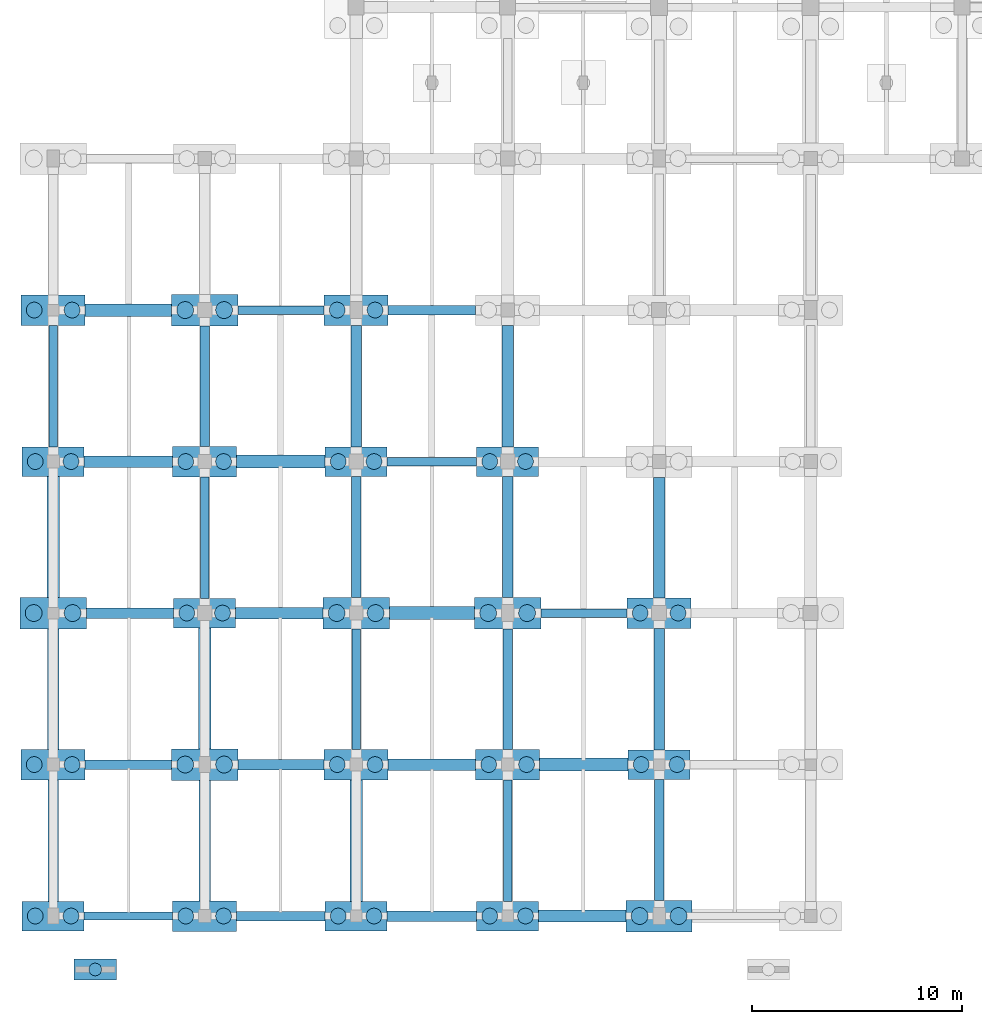
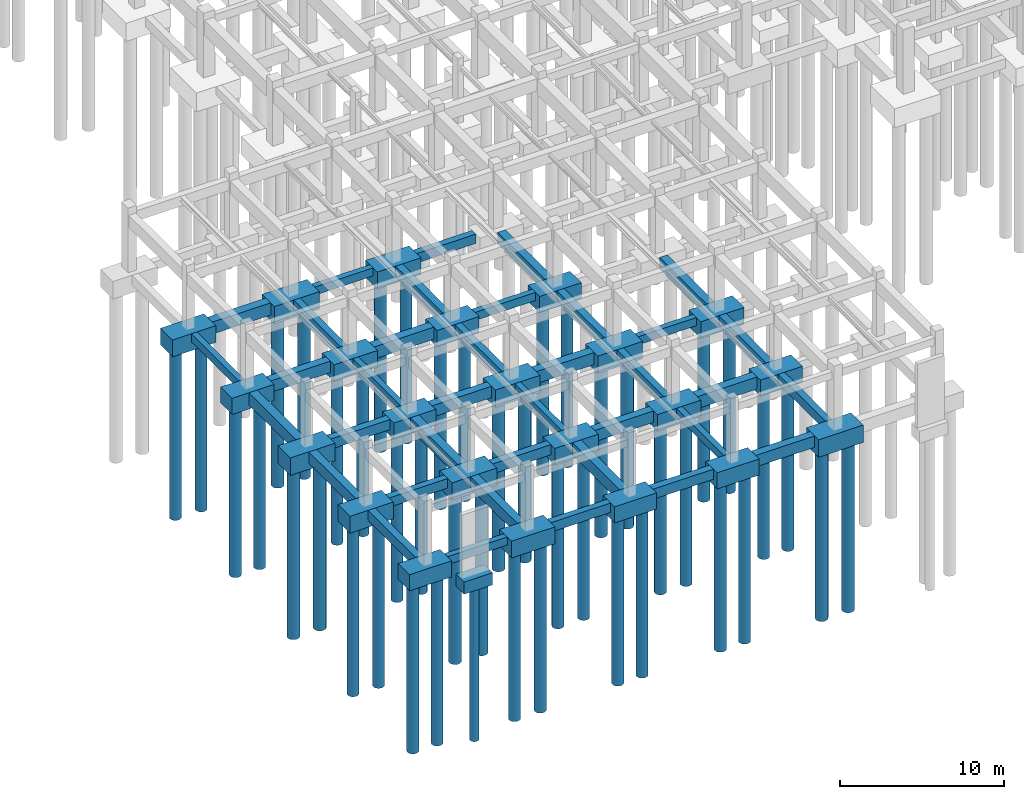
# One storey, part 1 of 44: 60 footings, 45 piles.
"""IFC4 building model written with IfcOpenShell, lengths in metres."""

from ifc_helpers import new_model, si_unit, direction, frame, origin, origin_2d, place, context, subcontext, project, spatial, rectangle, circle, extrude, material, material_profile, profile_set, type_object, element, save


model = new_model("IFC4")

# Units and contexts
model_context = context("Model", 3, precision=1e-05, world=origin(), true_north=direction((0.0, 1.0)))
body_context = subcontext(model_context, "Body", "Model", "MODEL_VIEW")
ifc_project = project(units=[si_unit("LENGTHUNIT", "METRE"), si_unit("AREAUNIT", "SQUARE_METRE"), si_unit("VOLUMEUNIT", "CUBIC_METRE"), si_unit("PLANEANGLEUNIT", "RADIAN"), si_unit("MASSUNIT", "GRAM", prefix="KILO")], contexts=[model_context])

# Site, building, storey
site_placement = place(None, origin())
site = spatial("IfcSite", under=ifc_project, at=site_placement, CompositionType="ELEMENT")
building_placement = place(site_placement, origin())
building = spatial("IfcBuilding", under=site, at=building_placement, Name="Korsvaeld Concert Hall", CompositionType="ELEMENT")
storey_placement = place(building_placement, frame((0.0, 0.0, -4.800048828125)))
storey = spatial("IfcBuildingStorey", under=building, at=storey_placement, Name="B1", CompositionType="ELEMENT", Elevation=-4.800048828125)

# Footings
ifc_material = material(Name="Concrete C35/45", Category="concrete")
ifc_material_profile_1 = material_profile(ifc_material, rectangle(XDim=0.39990234375, YDim=0.60009765625, at=origin_2d()), Name="GTB 400x600")
ifc_profile_set_1 = profile_set([ifc_material_profile_1], Name="Concrete C35/45")
footing_type_1 = type_object("IfcFootingType", Name="GTB-400x600", PredefinedType="FOOTING_BEAM", material=ifc_profile_set_1)
footing_1_placement = place(storey_placement, frame((1.47509765625, 0.0, -0.300048828125), z_axis=(1.0, 0.0, 0.0), x_axis=(0.0, 1.0, 0.0)))
element("IfcFooting", 1, at=footing_1_placement, inside=storey, type_object=footing_type_1, Name="Ground tie beam 1-2/A", PredefinedType="FOOTING_BEAM", context=body_context, shape_type="SweptSolid", body=[
    extrude(rectangle(XDim=0.39990234375, YDim=0.60009765625, at=origin_2d()), origin(), (0.0, 0.0, 1.0), 4.199951171875),
])
footing_2_placement = place(storey_placement, frame((23.175048828125, 14.39990234375, -0.300048828125), z_axis=(1.0, 0.0, 0.0), x_axis=(0.0, 1.0, 0.0)))
element("IfcFooting", 2, at=footing_2_placement, inside=storey, type_object=footing_type_1, Name="Ground tie beam 4-5/C", PredefinedType="FOOTING_BEAM", context=body_context, shape_type="SweptSolid", body=[
    extrude(rectangle(XDim=0.39990234375, YDim=0.60009765625, at=origin_2d()), origin(), (0.0, 0.0, 1.0), 4.099853515625),
])
footing_3_placement = place(storey_placement, frame((15.875, 21.60009765625, -0.300048828125), z_axis=(1.0, 0.0, 0.0), x_axis=(0.0, 1.0, 0.0)))
element("IfcFooting", 3, at=footing_3_placement, inside=storey, type_object=footing_type_1, Name="Ground tie beam 3-4/D", PredefinedType="FOOTING_BEAM", context=body_context, shape_type="SweptSolid", body=[
    extrude(rectangle(XDim=0.39990234375, YDim=0.60009765625, at=origin_2d()), origin(), (0.0, 0.0, 1.0), 4.25),
])
footing_4_placement = place(storey_placement, frame((8.77490234375, 28.800048828125, -0.300048828125), z_axis=(1.0, 0.0, 0.0), x_axis=(0.0, 1.0, 0.0)))
element("IfcFooting", 4, at=footing_4_placement, inside=storey, type_object=footing_type_1, Name="Ground tie beam 2-3/E", PredefinedType="FOOTING_BEAM", context=body_context, shape_type="SweptSolid", body=[
    extrude(rectangle(XDim=0.39990234375, YDim=0.60009765625, at=origin_2d()), origin(), (0.0, 0.0, 1.0), 4.10009765625),
])
for number, where, z_axis, x_axis, name in (
    (5, (0.0, 22.300048828125, -0.300048828125), (0.0, 1.0, 0.0), (-1.0, 0.0, 0.0), "Ground tie beam 1/D-E"),
    (6, (7.199951171875, 15.10009765625, -0.300048828125), (0.0, 1.0, 0.0), (-1.0, 0.0, 0.0), "Ground tie beam 2/C-D"),
):
    element("IfcFooting", number, at=place(storey_placement, frame(where, z_axis=z_axis, x_axis=x_axis)), inside=storey, type_object=footing_type_1, Name=name, PredefinedType="FOOTING_BEAM", context=body_context, shape_type="SweptSolid", body=[
        extrude(rectangle(XDim=0.39990234375, YDim=0.60009765625, at=origin_2d()), origin(), (0.0, 0.0, 1.0), 5.77490234375),
    ])
footing_5_placement = place(storey_placement, frame((14.39990234375, 7.925048828125, -0.300048828125), z_axis=(0.0, 1.0, 0.0), x_axis=(-1.0, 0.0, 0.0)))
element("IfcFooting", 7, at=footing_5_placement, inside=storey, type_object=footing_type_1, Name="Ground tie beam 3/B-C", PredefinedType="FOOTING_BEAM", context=body_context, shape_type="SweptSolid", body=[
    extrude(rectangle(XDim=0.39990234375, YDim=0.60009765625, at=origin_2d()), origin(), (0.0, 0.0, 1.0), 5.724853515625),
])
footing_6_placement = place(storey_placement, frame((21.60009765625, 0.699951171875, -0.300048828125), z_axis=(0.0, 1.0, 0.0), x_axis=(-1.0, 0.0, 0.0)))
element("IfcFooting", 8, at=footing_6_placement, inside=storey, type_object=footing_type_1, Name="Ground tie beam 4/A-B", PredefinedType="FOOTING_BEAM", context=body_context, shape_type="SweptSolid", body=[
    extrude(rectangle(XDim=0.39990234375, YDim=0.60009765625, at=origin_2d()), origin(), (0.0, 0.0, 1.0), 5.775146484375),
])
ifc_material_profile_2 = material_profile(ifc_material, rectangle(XDim=0.449951171875, YDim=0.699951171875, at=origin_2d()), Name="GTB 450x700")
ifc_profile_set_2 = profile_set([ifc_material_profile_2], Name="Concrete C35/45")
footing_type_2 = type_object("IfcFootingType", Name="GTB-450x700", PredefinedType="FOOTING_BEAM", material=ifc_profile_set_2)
footing_7_placement = place(storey_placement, frame((8.72509765625, 0.0, -0.349853515625), z_axis=(1.0, 0.0, 0.0), x_axis=(0.0, 1.0, 0.0)))
element("IfcFooting", 9, at=footing_7_placement, inside=storey, type_object=footing_type_2, Name="Ground tie beam 2-3/A", PredefinedType="FOOTING_BEAM", context=body_context, shape_type="SweptSolid", body=[
    extrude(rectangle(XDim=0.449951171875, YDim=0.699951171875, at=origin_2d()), origin(), (0.0, 0.0, 1.0), 4.199951171875),
])
footing_8_placement = place(storey_placement, frame((1.52490234375, 7.199951171875, -0.349853515625), z_axis=(1.0, 0.0, 0.0), x_axis=(0.0, 1.0, 0.0)))
element("IfcFooting", 10, at=footing_8_placement, inside=storey, type_object=footing_type_2, Name="Ground tie beam 1-2/B", PredefinedType="FOOTING_BEAM", context=body_context, shape_type="SweptSolid", body=[
    extrude(rectangle(XDim=0.449951171875, YDim=0.699951171875, at=origin_2d()), origin(), (0.0, 0.0, 1.0), 4.10009765625),
])
footing_9_placement = place(storey_placement, frame((15.925048828125, 28.800048828125, -0.349853515625), z_axis=(1.0, 0.0, 0.0), x_axis=(0.0, 1.0, 0.0)))
element("IfcFooting", 11, at=footing_9_placement, inside=storey, type_object=footing_type_2, Name="Ground tie beam 3-4/E", PredefinedType="FOOTING_BEAM", context=body_context, shape_type="SweptSolid", body=[
    extrude(rectangle(XDim=0.449951171875, YDim=0.699951171875, at=origin_2d()), origin(), (0.0, 0.0, 1.0), 4.14990234375),
])
footing_10_placement = place(storey_placement, frame((7.199951171875, 22.324951171875, -0.349853515625), z_axis=(0.0, 1.0, 0.0), x_axis=(-1.0, 0.0, 0.0)))
element("IfcFooting", 12, at=footing_10_placement, inside=storey, type_object=footing_type_2, Name="Ground tie beam 2/D-E", PredefinedType="FOOTING_BEAM", context=body_context, shape_type="SweptSolid", body=[
    extrude(rectangle(XDim=0.449951171875, YDim=0.699951171875, at=origin_2d()), origin(), (0.0, 0.0, 1.0), 5.72509765625),
])
footing_11_placement = place(storey_placement, frame((14.39990234375, 15.14990234375, -0.349853515625), z_axis=(0.0, 1.0, 0.0), x_axis=(-1.0, 0.0, 0.0)))
element("IfcFooting", 13, at=footing_11_placement, inside=storey, type_object=footing_type_2, Name="Ground tie beam 3/C-D", PredefinedType="FOOTING_BEAM", context=body_context, shape_type="SweptSolid", body=[
    extrude(rectangle(XDim=0.449951171875, YDim=0.699951171875, at=origin_2d()), origin(), (0.0, 0.0, 1.0), 5.75),
])
footing_12_placement = place(storey_placement, frame((21.60009765625, 7.925048828125, -0.349853515625), z_axis=(0.0, 1.0, 0.0), x_axis=(-1.0, 0.0, 0.0)))
element("IfcFooting", 14, at=footing_12_placement, inside=storey, type_object=footing_type_2, Name="Ground tie beam 4/B-C", PredefinedType="FOOTING_BEAM", context=body_context, shape_type="SweptSolid", body=[
    extrude(rectangle(XDim=0.449951171875, YDim=0.699951171875, at=origin_2d()), origin(), (0.0, 0.0, 1.0), 5.724853515625),
])
footing_13_placement = place(storey_placement, frame((28.800048828125, 0.75, -0.349853515625), z_axis=(0.0, 1.0, 0.0), x_axis=(-1.0, 0.0, 0.0)))
element("IfcFooting", 15, at=footing_13_placement, inside=storey, type_object=footing_type_2, Name="Ground tie beam 5/A-B", PredefinedType="FOOTING_BEAM", context=body_context, shape_type="SweptSolid", body=[
    extrude(rectangle(XDim=0.449951171875, YDim=0.699951171875, at=origin_2d()), origin(), (0.0, 0.0, 1.0), 5.75),
])
ifc_material_profile_3 = material_profile(ifc_material, rectangle(XDim=0.5, YDim=0.75, at=origin_2d()), Name="GTB 500x750")
ifc_profile_set_3 = profile_set([ifc_material_profile_3], Name="Concrete C35/45")
footing_type_3 = type_object("IfcFootingType", Name="GTB-500x750", PredefinedType="FOOTING_BEAM", material=ifc_profile_set_3)
footing_14_placement = place(storey_placement, frame((15.875, 0.0, -0.375), z_axis=(1.0, 0.0, 0.0), x_axis=(0.0, 1.0, 0.0)))
element("IfcFooting", 16, at=footing_14_placement, inside=storey, type_object=footing_type_3, Name="Ground tie beam 3-4/A", PredefinedType="FOOTING_BEAM", context=body_context, shape_type="SweptSolid", body=[
    extrude(rectangle(XDim=0.5, YDim=0.75, at=origin_2d()), origin(), (0.0, 0.0, 1.0), 4.25),
])
footing_15_placement = place(storey_placement, frame((8.77490234375, 7.199951171875, -0.375), z_axis=(1.0, 0.0, 0.0), x_axis=(0.0, 1.0, 0.0)))
element("IfcFooting", 17, at=footing_15_placement, inside=storey, type_object=footing_type_3, Name="Ground tie beam 2-3/B", PredefinedType="FOOTING_BEAM", context=body_context, shape_type="SweptSolid", body=[
    extrude(rectangle(XDim=0.5, YDim=0.75, at=origin_2d()), origin(), (0.0, 0.0, 1.0), 4.10009765625),
])
footing_16_placement = place(storey_placement, frame((1.574951171875, 14.39990234375, -0.375), z_axis=(1.0, 0.0, 0.0), x_axis=(0.0, 1.0, 0.0)))
element("IfcFooting", 18, at=footing_16_placement, inside=storey, type_object=footing_type_3, Name="Ground tie beam 1-2/C", PredefinedType="FOOTING_BEAM", context=body_context, shape_type="SweptSolid", body=[
    extrude(rectangle(XDim=0.5, YDim=0.75, at=origin_2d()), origin(), (0.0, 0.0, 1.0), 4.150146484375),
])
footing_17_placement = place(storey_placement, frame((0.0, 0.699951171875, -0.375), z_axis=(0.0, 1.0, 0.0), x_axis=(-1.0, 0.0, 0.0)))
element("IfcFooting", 19, at=footing_17_placement, inside=storey, type_object=footing_type_3, Name="Ground tie beam 1/A-B", PredefinedType="FOOTING_BEAM", context=body_context, shape_type="SweptSolid", body=[
    extrude(rectangle(XDim=0.5, YDim=0.75, at=origin_2d()), origin(), (0.0, 0.0, 1.0), 5.775146484375),
])
footing_18_placement = place(storey_placement, frame((14.39990234375, 22.300048828125, -0.375), z_axis=(0.0, 1.0, 0.0), x_axis=(-1.0, 0.0, 0.0)))
element("IfcFooting", 20, at=footing_18_placement, inside=storey, type_object=footing_type_3, Name="Ground tie beam 3/D-E", PredefinedType="FOOTING_BEAM", context=body_context, shape_type="SweptSolid", body=[
    extrude(rectangle(XDim=0.5, YDim=0.75, at=origin_2d()), origin(), (0.0, 0.0, 1.0), 5.77490234375),
])
footing_19_placement = place(storey_placement, frame((21.60009765625, 15.14990234375, -0.375), z_axis=(0.0, 1.0, 0.0), x_axis=(-1.0, 0.0, 0.0)))
element("IfcFooting", 21, at=footing_19_placement, inside=storey, type_object=footing_type_3, Name="Ground tie beam 4/C-D", PredefinedType="FOOTING_BEAM", context=body_context, shape_type="SweptSolid", body=[
    extrude(rectangle(XDim=0.5, YDim=0.75, at=origin_2d()), origin(), (0.0, 0.0, 1.0), 5.75),
])
footing_20_placement = place(storey_placement, frame((28.800048828125, 7.89990234375, -0.375), z_axis=(0.0, 1.0, 0.0), x_axis=(-1.0, 0.0, 0.0)))
element("IfcFooting", 22, at=footing_20_placement, inside=storey, type_object=footing_type_3, Name="Ground tie beam 5/B-C", PredefinedType="FOOTING_BEAM", context=body_context, shape_type="SweptSolid", body=[
    extrude(rectangle(XDim=0.5, YDim=0.75, at=origin_2d()), origin(), (0.0, 0.0, 1.0), 5.775146484375),
])
ifc_material_profile_4 = material_profile(ifc_material, rectangle(XDim=0.550048828125, YDim=0.85009765625, at=origin_2d()), Name="GTB 550x850")
ifc_profile_set_4 = profile_set([ifc_material_profile_4], Name="Concrete C35/45")
footing_type_4 = type_object("IfcFootingType", Name="GTB-550x850", PredefinedType="FOOTING_BEAM", material=ifc_profile_set_4)
footing_21_placement = place(storey_placement, frame((23.074951171875, 0.0, -0.425048828125), z_axis=(1.0, 0.0, 0.0), x_axis=(0.0, 1.0, 0.0)))
element("IfcFooting", 23, at=footing_21_placement, inside=storey, type_object=footing_type_4, Name="Ground tie beam 4-5/A", PredefinedType="FOOTING_BEAM", context=body_context, shape_type="SweptSolid", body=[
    extrude(rectangle(XDim=0.550048828125, YDim=0.85009765625, at=origin_2d()), origin(), (0.0, 0.0, 1.0), 4.150146484375),
])
for number, where, z_axis, x_axis, name in (
    (24, (15.925048828125, 7.199951171875, -0.425048828125), (1.0, 0.0, 0.0), (0.0, 1.0, 0.0), "Ground tie beam 3-4/B"),
    (25, (8.675048828125, 14.39990234375, -0.425048828125), (1.0, 0.0, 0.0), (0.0, 1.0, 0.0), "Ground tie beam 2-3/C"),
):
    element("IfcFooting", number, at=place(storey_placement, frame(where, z_axis=z_axis, x_axis=x_axis)), inside=storey, type_object=footing_type_4, Name=name, PredefinedType="FOOTING_BEAM", context=body_context, shape_type="SweptSolid", body=[
        extrude(rectangle(XDim=0.550048828125, YDim=0.85009765625, at=origin_2d()), origin(), (0.0, 0.0, 1.0), 4.14990234375),
    ])
footing_22_placement = place(storey_placement, frame((1.47509765625, 21.60009765625, -0.425048828125), z_axis=(1.0, 0.0, 0.0), x_axis=(0.0, 1.0, 0.0)))
element("IfcFooting", 26, at=footing_22_placement, inside=storey, type_object=footing_type_4, Name="Ground tie beam 1-2/D", PredefinedType="FOOTING_BEAM", context=body_context, shape_type="SweptSolid", body=[
    extrude(rectangle(XDim=0.550048828125, YDim=0.85009765625, at=origin_2d()), origin(), (0.0, 0.0, 1.0), 4.199951171875),
])
for number, where, z_axis, x_axis, name in (
    (27, (0.0, 7.925048828125, -0.425048828125), (0.0, 1.0, 0.0), (-1.0, 0.0, 0.0), "Ground tie beam 1/B-C"),
    (28, (7.199951171875, 0.72509765625, -0.425048828125), (0.0, 1.0, 0.0), (-1.0, 0.0, 0.0), "Ground tie beam 2/A-B"),
):
    element("IfcFooting", number, at=place(storey_placement, frame(where, z_axis=z_axis, x_axis=x_axis)), inside=storey, type_object=footing_type_4, Name=name, PredefinedType="FOOTING_BEAM", context=body_context, shape_type="SweptSolid", body=[
        extrude(rectangle(XDim=0.550048828125, YDim=0.85009765625, at=origin_2d()), origin(), (0.0, 0.0, 1.0), 5.724853515625),
    ])
footing_23_placement = place(storey_placement, frame((21.60009765625, 22.300048828125, -0.425048828125), z_axis=(0.0, 1.0, 0.0), x_axis=(-1.0, 0.0, 0.0)))
element("IfcFooting", 29, at=footing_23_placement, inside=storey, type_object=footing_type_4, Name="Ground tie beam 4/D-E", PredefinedType="FOOTING_BEAM", context=body_context, shape_type="SweptSolid", body=[
    extrude(rectangle(XDim=0.550048828125, YDim=0.85009765625, at=origin_2d()), origin(), (0.0, 0.0, 1.0), 5.77490234375),
])
footing_24_placement = place(storey_placement, frame((28.800048828125, 15.125, -0.425048828125), z_axis=(0.0, 1.0, 0.0), x_axis=(-1.0, 0.0, 0.0)))
element("IfcFooting", 30, at=footing_24_placement, inside=storey, type_object=footing_type_4, Name="Ground tie beam 5/C-D", PredefinedType="FOOTING_BEAM", context=body_context, shape_type="SweptSolid", body=[
    extrude(rectangle(XDim=0.550048828125, YDim=0.85009765625, at=origin_2d()), origin(), (0.0, 0.0, 1.0), 5.72509765625),
])
ifc_material_profile_5 = material_profile(ifc_material, rectangle(XDim=0.60009765625, YDim=0.89990234375, at=origin_2d()), Name="GTB 600x900")
ifc_profile_set_5 = profile_set([ifc_material_profile_5], Name="Concrete C35/45")
footing_type_5 = type_object("IfcFootingType", Name="GTB-600x900", PredefinedType="FOOTING_BEAM", material=ifc_profile_set_5)
footing_25_placement = place(storey_placement, frame((23.125, 7.199951171875, -0.449951171875), z_axis=(1.0, 0.0, 0.0), x_axis=(0.0, 1.0, 0.0)))
element("IfcFooting", 31, at=footing_25_placement, inside=storey, type_object=footing_type_5, Name="Ground tie beam 4-5/B", PredefinedType="FOOTING_BEAM", context=body_context, shape_type="SweptSolid", body=[
    extrude(rectangle(XDim=0.60009765625, YDim=0.89990234375, at=origin_2d()), origin(), (0.0, 0.0, 1.0), 4.199951171875),
])
footing_26_placement = place(storey_placement, frame((15.97509765625, 14.39990234375, -0.449951171875), z_axis=(1.0, 0.0, 0.0), x_axis=(0.0, 1.0, 0.0)))
element("IfcFooting", 32, at=footing_26_placement, inside=storey, type_object=footing_type_5, Name="Ground tie beam 3-4/C", PredefinedType="FOOTING_BEAM", context=body_context, shape_type="SweptSolid", body=[
    extrude(rectangle(XDim=0.60009765625, YDim=0.89990234375, at=origin_2d()), origin(), (0.0, 0.0, 1.0), 4.0498046875),
])
footing_27_placement = place(storey_placement, frame((8.72509765625, 21.60009765625, -0.449951171875), z_axis=(1.0, 0.0, 0.0), x_axis=(0.0, 1.0, 0.0)))
element("IfcFooting", 33, at=footing_27_placement, inside=storey, type_object=footing_type_5, Name="Ground tie beam 2-3/D", PredefinedType="FOOTING_BEAM", context=body_context, shape_type="SweptSolid", body=[
    extrude(rectangle(XDim=0.60009765625, YDim=0.89990234375, at=origin_2d()), origin(), (0.0, 0.0, 1.0), 4.199951171875),
])
footing_28_placement = place(storey_placement, frame((1.52490234375, 28.800048828125, -0.449951171875), z_axis=(1.0, 0.0, 0.0), x_axis=(0.0, 1.0, 0.0)))
element("IfcFooting", 34, at=footing_28_placement, inside=storey, type_object=footing_type_5, Name="Ground tie beam 1-2/E", PredefinedType="FOOTING_BEAM", context=body_context, shape_type="SweptSolid", body=[
    extrude(rectangle(XDim=0.60009765625, YDim=0.89990234375, at=origin_2d()), origin(), (0.0, 0.0, 1.0), 4.10009765625),
])
for number, where, z_axis, x_axis, name in (
    (35, (0.0, 15.14990234375, -0.449951171875), (0.0, 1.0, 0.0), (-1.0, 0.0, 0.0), "Ground tie beam 1/C-D"),
    (36, (7.199951171875, 7.949951171875, -0.449951171875), (0.0, 1.0, 0.0), (-1.0, 0.0, 0.0), "Ground tie beam 2/B-C"),
):
    element("IfcFooting", number, at=place(storey_placement, frame(where, z_axis=z_axis, x_axis=x_axis)), inside=storey, type_object=footing_type_5, Name=name, PredefinedType="FOOTING_BEAM", context=body_context, shape_type="SweptSolid", body=[
        extrude(rectangle(XDim=0.60009765625, YDim=0.89990234375, at=origin_2d()), origin(), (0.0, 0.0, 1.0), 5.75),
    ])
footing_29_placement = place(storey_placement, frame((14.39990234375, 0.699951171875, -0.449951171875), z_axis=(0.0, 1.0, 0.0), x_axis=(-1.0, 0.0, 0.0)))
element("IfcFooting", 37, at=footing_29_placement, inside=storey, type_object=footing_type_5, Name="Ground tie beam 3/A-B", PredefinedType="FOOTING_BEAM", context=body_context, shape_type="SweptSolid", body=[
    extrude(rectangle(XDim=0.60009765625, YDim=0.89990234375, at=origin_2d()), origin(), (0.0, 0.0, 1.0), 5.775146484375),
])
footing_type_6 = type_object("IfcFootingType", Name="PC-2P-240x130x120", PredefinedType="PILE_CAP", material=ifc_material)
for number, where, z_axis, x_axis, name in (
    (38, (0.0, 0.0, -1.19970703125), (0.0, 0.0, 1.0), (1.0, 0.0, 0.0), "Pile cap 1/A"),
    (39, (0.0, 21.60009765625, -1.19970703125), (0.0, 0.0, 1.0), (1.0, 0.0, 0.0), "Pile cap 1/D"),
    (40, (7.199951171875, 14.39990234375, -1.19970703125), (0.0, 0.0, 1.0), (1.0, 0.0, 0.0), "Pile cap 2/C"),
    (41, (14.39990234375, 0.0, -1.19970703125), (0.0, 0.0, 1.0), (1.0, 0.0, 0.0), "Pile cap 3/A"),
    (42, (14.39990234375, 21.60009765625, -1.19970703125), (0.0, 0.0, 1.0), (1.0, 0.0, 0.0), "Pile cap 3/D"),
    (43, (21.60009765625, 0.0, -1.19970703125), (0.0, 0.0, 1.0), (1.0, 0.0, 0.0), "Pile cap 4/A"),
    (44, (21.60009765625, 21.60009765625, -1.19970703125), (0.0, 0.0, 1.0), (1.0, 0.0, 0.0), "Pile cap 4/D"),
    (45, (28.800048828125, 7.199951171875, -1.19970703125), (0.0, 0.0, 1.0), (1.0, 0.0, 0.0), "Pile cap 5/B"),
):
    element("IfcFooting", number, at=place(storey_placement, frame(where, z_axis=z_axis, x_axis=x_axis)), inside=storey, type_object=footing_type_6, Name=name, PredefinedType="PILE_CAP", context=body_context, shape_type="SweptSolid", body=[
        extrude(rectangle(XDim=2.949951171875, YDim=1.39990234375, at=origin_2d()), origin(), (0.0, 0.0, 1.0), 1.199951171875),
    ])
footing_type_7 = type_object("IfcFootingType", Name="PC-2P-260x140x125", PredefinedType="PILE_CAP", material=ifc_material)
for number, where, z_axis, x_axis, name in (
    (46, (0.0, 7.199951171875, -1.25), (0.0, 0.0, 1.0), (1.0, 0.0, 0.0), "Pile cap 1/B"),
    (47, (0.0, 28.800048828125, -1.25), (0.0, 0.0, 1.0), (1.0, 0.0, 0.0), "Pile cap 1/E"),
    (48, (7.199951171875, 0.0, -1.25), (0.0, 0.0, 1.0), (1.0, 0.0, 0.0), "Pile cap 2/A"),
    (49, (7.199951171875, 21.60009765625, -1.25), (0.0, 0.0, 1.0), (1.0, 0.0, 0.0), "Pile cap 2/D"),
    (50, (14.39990234375, 7.199951171875, -1.25), (0.0, 0.0, 1.0), (1.0, 0.0, 0.0), "Pile cap 3/B"),
    (51, (14.39990234375, 28.800048828125, -1.25), (0.0, 0.0, 1.0), (1.0, 0.0, 0.0), "Pile cap 3/E"),
    (52, (21.60009765625, 7.199951171875, -1.25), (0.0, 0.0, 1.0), (1.0, 0.0, 0.0), "Pile cap 4/B"),
    (53, (28.800048828125, 14.39990234375, -1.25), (0.0, 0.0, 1.0), (1.0, 0.0, 0.0), "Pile cap 5/C"),
):
    element("IfcFooting", number, at=place(storey_placement, frame(where, z_axis=z_axis, x_axis=x_axis)), inside=storey, type_object=footing_type_7, Name=name, PredefinedType="PILE_CAP", context=body_context, shape_type="SweptSolid", body=[
        extrude(rectangle(XDim=3.050048828125, YDim=1.449951171875, at=origin_2d()), origin(), (0.0, 0.0, 1.0), 1.25),
    ])
footing_type_8 = type_object("IfcFootingType", Name="PC-2P-280x150x130", PredefinedType="PILE_CAP", material=ifc_material)
for number, where, z_axis, x_axis, name in (
    (54, (0.0, 14.39990234375, -1.2998046875), (0.0, 0.0, 1.0), (1.0, 0.0, 0.0), "Pile cap 1/C"),
    (55, (7.199951171875, 7.199951171875, -1.2998046875), (0.0, 0.0, 1.0), (1.0, 0.0, 0.0), "Pile cap 2/B"),
    (56, (7.199951171875, 28.800048828125, -1.2998046875), (0.0, 0.0, 1.0), (1.0, 0.0, 0.0), "Pile cap 2/E"),
    (57, (14.39990234375, 14.39990234375, -1.2998046875), (0.0, 0.0, 1.0), (1.0, 0.0, 0.0), "Pile cap 3/C"),
    (58, (21.60009765625, 14.39990234375, -1.2998046875), (0.0, 0.0, 1.0), (1.0, 0.0, 0.0), "Pile cap 4/C"),
    (59, (28.800048828125, 0.0, -1.2998046875), (0.0, 0.0, 1.0), (1.0, 0.0, 0.0), "Pile cap 5/A"),
):
    element("IfcFooting", number, at=place(storey_placement, frame(where, z_axis=z_axis, x_axis=x_axis)), inside=storey, type_object=footing_type_8, Name=name, PredefinedType="PILE_CAP", context=body_context, shape_type="SweptSolid", body=[
        extrude(rectangle(XDim=3.14990234375, YDim=1.5, at=origin_2d()), origin(), (0.0, 0.0, 1.0), 1.300048828125),
    ])
footing_type_9 = type_object("IfcFootingType", Name="PF-RAMP-200x100x90", PredefinedType="PAD_FOOTING", material=ifc_material)
footing_30_placement = place(storey_placement, frame((2.0, -2.5400390625, -0.89990234375), z_axis=(0.0, 0.0, 1.0), x_axis=(1.0, 0.0, 0.0)))
element("IfcFooting", 60, at=footing_30_placement, inside=storey, type_object=footing_type_9, Name="Ramp toe foundation RMP-SW1", PredefinedType="PAD_FOOTING", context=body_context, shape_type="SweptSolid", body=[
    extrude(rectangle(XDim=2.0, YDim=1.0, at=origin_2d()), origin(), (0.0, 0.0, 1.0), 0.89990234375),
])

# Piles
ifc_material_profile_6 = material_profile(ifc_material, circle(Radius=0.300048828125, at=origin_2d()), Name="BORED PILE D600")
ifc_profile_set_6 = profile_set([ifc_material_profile_6], Name="Concrete C35/45")
pile_type_1 = type_object("IfcPileType", Name="PILE-D600", PredefinedType="BORED", material=ifc_profile_set_6)
pile_placement = place(storey_placement, frame((2.0, -2.5400390625, -0.800048828125), z_axis=(0.0, 0.0, -1.0), x_axis=(1.0, 0.0, 0.0)))
element("IfcPile", 61, at=pile_placement, inside=storey, type_object=pile_type_1, Name="Ramp toe bored pile RMP-SW1", PredefinedType="BORED", context=body_context, shape_type="SweptSolid", body=[
    extrude(circle(Radius=0.300048828125, at=origin_2d()), origin(), (0.0, 0.0, 1.0), 11.5),
])
ifc_material_profile_7 = material_profile(ifc_material, circle(Radius=0.375, at=origin_2d()), Name="BORED PILE D750")
ifc_profile_set_7 = profile_set([ifc_material_profile_7], Name="Concrete C35/45")
pile_type_2 = type_object("IfcPileType", Name="PILE-D750", PredefinedType="BORED", material=ifc_profile_set_7)
for number, where, z_axis, x_axis, name in (
    (62, (-0.85009765625, 0.0, -1.099853515625), (0.0, 0.0, -1.0), (1.0, 0.0, 0.0), "Bored pile 1/A-1"),
    (63, (0.85009765625, 0.0, -1.099853515625), (0.0, 0.0, -1.0), (1.0, 0.0, 0.0), "Bored pile 1/A-2"),
):
    element("IfcPile", number, at=place(storey_placement, frame(where, z_axis=z_axis, x_axis=x_axis)), inside=storey, type_object=pile_type_2, Name=name, PredefinedType="BORED", context=body_context, shape_type="SweptSolid", body=[
        extrude(circle(Radius=0.375, at=origin_2d()), origin(), (0.0, 0.0, 1.0), 12.60009765625),
    ])
for number, where, z_axis, x_axis, name in (
    (64, (-0.89990234375, 7.199951171875, -1.14990234375), (0.0, 0.0, -1.0), (1.0, 0.0, 0.0), "Bored pile 1/B-1"),
    (65, (0.89990234375, 7.199951171875, -1.14990234375), (0.0, 0.0, -1.0), (1.0, 0.0, 0.0), "Bored pile 1/B-2"),
):
    element("IfcPile", number, at=place(storey_placement, frame(where, z_axis=z_axis, x_axis=x_axis)), inside=storey, type_object=pile_type_2, Name=name, PredefinedType="BORED", context=body_context, shape_type="SweptSolid", body=[
        extrude(circle(Radius=0.375, at=origin_2d()), origin(), (0.0, 0.0, 1.0), 12.64990234375),
    ])
for number, where, z_axis, x_axis, name in (
    (66, (-0.85009765625, 21.60009765625, -1.099853515625), (0.0, 0.0, -1.0), (1.0, 0.0, 0.0), "Bored pile 1/D-1"),
    (67, (0.85009765625, 21.60009765625, -1.099853515625), (0.0, 0.0, -1.0), (1.0, 0.0, 0.0), "Bored pile 1/D-2"),
):
    element("IfcPile", number, at=place(storey_placement, frame(where, z_axis=z_axis, x_axis=x_axis)), inside=storey, type_object=pile_type_2, Name=name, PredefinedType="BORED", context=body_context, shape_type="SweptSolid", body=[
        extrude(circle(Radius=0.375, at=origin_2d()), origin(), (0.0, 0.0, 1.0), 12.60009765625),
    ])
for number, where, z_axis, x_axis, name in (
    (68, (-0.89990234375, 28.800048828125, -1.14990234375), (0.0, 0.0, -1.0), (1.0, 0.0, 0.0), "Bored pile 1/E-1"),
    (69, (0.89990234375, 28.800048828125, -1.14990234375), (0.0, 0.0, -1.0), (1.0, 0.0, 0.0), "Bored pile 1/E-2"),
    (70, (6.300048828125, 0.0, -1.14990234375), (0.0, 0.0, -1.0), (1.0, 0.0, 0.0), "Bored pile 2/A-1"),
    (71, (8.10009765625, 0.0, -1.14990234375), (0.0, 0.0, -1.0), (1.0, 0.0, 0.0), "Bored pile 2/A-2"),
):
    element("IfcPile", number, at=place(storey_placement, frame(where, z_axis=z_axis, x_axis=x_axis)), inside=storey, type_object=pile_type_2, Name=name, PredefinedType="BORED", context=body_context, shape_type="SweptSolid", body=[
        extrude(circle(Radius=0.375, at=origin_2d()), origin(), (0.0, 0.0, 1.0), 12.64990234375),
    ])
for number, where, z_axis, x_axis, name in (
    (72, (6.35009765625, 14.39990234375, -1.099853515625), (0.0, 0.0, -1.0), (1.0, 0.0, 0.0), "Bored pile 2/C-1"),
    (73, (8.050048828125, 14.39990234375, -1.099853515625), (0.0, 0.0, -1.0), (1.0, 0.0, 0.0), "Bored pile 2/C-2"),
):
    element("IfcPile", number, at=place(storey_placement, frame(where, z_axis=z_axis, x_axis=x_axis)), inside=storey, type_object=pile_type_2, Name=name, PredefinedType="BORED", context=body_context, shape_type="SweptSolid", body=[
        extrude(circle(Radius=0.375, at=origin_2d()), origin(), (0.0, 0.0, 1.0), 12.60009765625),
    ])
for number, where, z_axis, x_axis, name in (
    (74, (6.300048828125, 21.60009765625, -1.14990234375), (0.0, 0.0, -1.0), (1.0, 0.0, 0.0), "Bored pile 2/D-1"),
    (75, (8.10009765625, 21.60009765625, -1.14990234375), (0.0, 0.0, -1.0), (1.0, 0.0, 0.0), "Bored pile 2/D-2"),
):
    element("IfcPile", number, at=place(storey_placement, frame(where, z_axis=z_axis, x_axis=x_axis)), inside=storey, type_object=pile_type_2, Name=name, PredefinedType="BORED", context=body_context, shape_type="SweptSolid", body=[
        extrude(circle(Radius=0.375, at=origin_2d()), origin(), (0.0, 0.0, 1.0), 12.64990234375),
    ])
for number, where, z_axis, x_axis, name in (
    (76, (13.550048828125, 0.0, -1.099853515625), (0.0, 0.0, -1.0), (1.0, 0.0, 0.0), "Bored pile 3/A-1"),
    (77, (15.25, 0.0, -1.099853515625), (0.0, 0.0, -1.0), (1.0, 0.0, 0.0), "Bored pile 3/A-2"),
):
    element("IfcPile", number, at=place(storey_placement, frame(where, z_axis=z_axis, x_axis=x_axis)), inside=storey, type_object=pile_type_2, Name=name, PredefinedType="BORED", context=body_context, shape_type="SweptSolid", body=[
        extrude(circle(Radius=0.375, at=origin_2d()), origin(), (0.0, 0.0, 1.0), 12.60009765625),
    ])
for number, where, z_axis, x_axis, name in (
    (78, (13.5, 7.199951171875, -1.14990234375), (0.0, 0.0, -1.0), (1.0, 0.0, 0.0), "Bored pile 3/B-1"),
    (79, (15.300048828125, 7.199951171875, -1.14990234375), (0.0, 0.0, -1.0), (1.0, 0.0, 0.0), "Bored pile 3/B-2"),
):
    element("IfcPile", number, at=place(storey_placement, frame(where, z_axis=z_axis, x_axis=x_axis)), inside=storey, type_object=pile_type_2, Name=name, PredefinedType="BORED", context=body_context, shape_type="SweptSolid", body=[
        extrude(circle(Radius=0.375, at=origin_2d()), origin(), (0.0, 0.0, 1.0), 12.64990234375),
    ])
for number, where, z_axis, x_axis, name in (
    (80, (13.550048828125, 21.60009765625, -1.099853515625), (0.0, 0.0, -1.0), (1.0, 0.0, 0.0), "Bored pile 3/D-1"),
    (81, (15.25, 21.60009765625, -1.099853515625), (0.0, 0.0, -1.0), (1.0, 0.0, 0.0), "Bored pile 3/D-2"),
):
    element("IfcPile", number, at=place(storey_placement, frame(where, z_axis=z_axis, x_axis=x_axis)), inside=storey, type_object=pile_type_2, Name=name, PredefinedType="BORED", context=body_context, shape_type="SweptSolid", body=[
        extrude(circle(Radius=0.375, at=origin_2d()), origin(), (0.0, 0.0, 1.0), 12.60009765625),
    ])
for number, where, z_axis, x_axis, name in (
    (82, (13.5, 28.800048828125, -1.14990234375), (0.0, 0.0, -1.0), (1.0, 0.0, 0.0), "Bored pile 3/E-1"),
    (83, (15.300048828125, 28.800048828125, -1.14990234375), (0.0, 0.0, -1.0), (1.0, 0.0, 0.0), "Bored pile 3/E-2"),
):
    element("IfcPile", number, at=place(storey_placement, frame(where, z_axis=z_axis, x_axis=x_axis)), inside=storey, type_object=pile_type_2, Name=name, PredefinedType="BORED", context=body_context, shape_type="SweptSolid", body=[
        extrude(circle(Radius=0.375, at=origin_2d()), origin(), (0.0, 0.0, 1.0), 12.64990234375),
    ])
for number, where, z_axis, x_axis, name in (
    (84, (20.75, 0.0, -1.099853515625), (0.0, 0.0, -1.0), (1.0, 0.0, 0.0), "Bored pile 4/A-1"),
    (85, (22.449951171875, 0.0, -1.099853515625), (0.0, 0.0, -1.0), (1.0, 0.0, 0.0), "Bored pile 4/A-2"),
):
    element("IfcPile", number, at=place(storey_placement, frame(where, z_axis=z_axis, x_axis=x_axis)), inside=storey, type_object=pile_type_2, Name=name, PredefinedType="BORED", context=body_context, shape_type="SweptSolid", body=[
        extrude(circle(Radius=0.375, at=origin_2d()), origin(), (0.0, 0.0, 1.0), 12.60009765625),
    ])
for number, where, z_axis, x_axis, name in (
    (86, (20.699951171875, 7.199951171875, -1.14990234375), (0.0, 0.0, -1.0), (1.0, 0.0, 0.0), "Bored pile 4/B-1"),
    (87, (22.5, 7.199951171875, -1.14990234375), (0.0, 0.0, -1.0), (1.0, 0.0, 0.0), "Bored pile 4/B-2"),
):
    element("IfcPile", number, at=place(storey_placement, frame(where, z_axis=z_axis, x_axis=x_axis)), inside=storey, type_object=pile_type_2, Name=name, PredefinedType="BORED", context=body_context, shape_type="SweptSolid", body=[
        extrude(circle(Radius=0.375, at=origin_2d()), origin(), (0.0, 0.0, 1.0), 12.64990234375),
    ])
for number, where, z_axis, x_axis, name in (
    (88, (20.75, 21.60009765625, -1.099853515625), (0.0, 0.0, -1.0), (1.0, 0.0, 0.0), "Bored pile 4/D-1"),
    (89, (22.449951171875, 21.60009765625, -1.099853515625), (0.0, 0.0, -1.0), (1.0, 0.0, 0.0), "Bored pile 4/D-2"),
    (90, (27.949951171875, 7.199951171875, -1.099853515625), (0.0, 0.0, -1.0), (1.0, 0.0, 0.0), "Bored pile 5/B-1"),
    (91, (29.64990234375, 7.199951171875, -1.099853515625), (0.0, 0.0, -1.0), (1.0, 0.0, 0.0), "Bored pile 5/B-2"),
):
    element("IfcPile", number, at=place(storey_placement, frame(where, z_axis=z_axis, x_axis=x_axis)), inside=storey, type_object=pile_type_2, Name=name, PredefinedType="BORED", context=body_context, shape_type="SweptSolid", body=[
        extrude(circle(Radius=0.375, at=origin_2d()), origin(), (0.0, 0.0, 1.0), 12.60009765625),
    ])
for number, where, z_axis, x_axis, name in (
    (92, (27.89990234375, 14.39990234375, -1.14990234375), (0.0, 0.0, -1.0), (1.0, 0.0, 0.0), "Bored pile 5/C-1"),
    (93, (29.699951171875, 14.39990234375, -1.14990234375), (0.0, 0.0, -1.0), (1.0, 0.0, 0.0), "Bored pile 5/C-2"),
):
    element("IfcPile", number, at=place(storey_placement, frame(where, z_axis=z_axis, x_axis=x_axis)), inside=storey, type_object=pile_type_2, Name=name, PredefinedType="BORED", context=body_context, shape_type="SweptSolid", body=[
        extrude(circle(Radius=0.375, at=origin_2d()), origin(), (0.0, 0.0, 1.0), 12.64990234375),
    ])
ifc_material_profile_8 = material_profile(ifc_material, circle(Radius=0.39990234375, at=origin_2d()), Name="BORED PILE D800")
ifc_profile_set_8 = profile_set([ifc_material_profile_8], Name="Concrete C35/45")
pile_type_3 = type_object("IfcPileType", Name="PILE-D800", PredefinedType="BORED", material=ifc_profile_set_8)
for number, where, z_axis, x_axis, name in (
    (94, (-0.925048828125, 14.39990234375, -1.199951171875), (0.0, 0.0, -1.0), (1.0, 0.0, 0.0), "Bored pile 1/C-1"),
    (95, (0.925048828125, 14.39990234375, -1.199951171875), (0.0, 0.0, -1.0), (1.0, 0.0, 0.0), "Bored pile 1/C-2"),
    (96, (6.27490234375, 7.199951171875, -1.199951171875), (0.0, 0.0, -1.0), (1.0, 0.0, 0.0), "Bored pile 2/B-1"),
    (97, (8.125, 7.199951171875, -1.199951171875), (0.0, 0.0, -1.0), (1.0, 0.0, 0.0), "Bored pile 2/B-2"),
    (98, (6.27490234375, 28.800048828125, -1.199951171875), (0.0, 0.0, -1.0), (1.0, 0.0, 0.0), "Bored pile 2/E-1"),
    (99, (8.125, 28.800048828125, -1.199951171875), (0.0, 0.0, -1.0), (1.0, 0.0, 0.0), "Bored pile 2/E-2"),
    (100, (13.47509765625, 14.39990234375, -1.199951171875), (0.0, 0.0, -1.0), (1.0, 0.0, 0.0), "Bored pile 3/C-1"),
    (101, (15.324951171875, 14.39990234375, -1.199951171875), (0.0, 0.0, -1.0), (1.0, 0.0, 0.0), "Bored pile 3/C-2"),
    (102, (20.675048828125, 14.39990234375, -1.199951171875), (0.0, 0.0, -1.0), (1.0, 0.0, 0.0), "Bored pile 4/C-1"),
    (103, (22.52490234375, 14.39990234375, -1.199951171875), (0.0, 0.0, -1.0), (1.0, 0.0, 0.0), "Bored pile 4/C-2"),
    (104, (27.875, 0.0, -1.199951171875), (0.0, 0.0, -1.0), (1.0, 0.0, 0.0), "Bored pile 5/A-1"),
    (105, (29.72509765625, 0.0, -1.199951171875), (0.0, 0.0, -1.0), (1.0, 0.0, 0.0), "Bored pile 5/A-2"),
):
    element("IfcPile", number, at=place(storey_placement, frame(where, z_axis=z_axis, x_axis=x_axis)), inside=storey, type_object=pile_type_3, Name=name, PredefinedType="BORED", context=body_context, shape_type="SweptSolid", body=[
        extrude(circle(Radius=0.39990234375, at=origin_2d()), origin(), (0.0, 0.0, 1.0), 12.699951171875),
    ])

save(model, "model.ifc")
